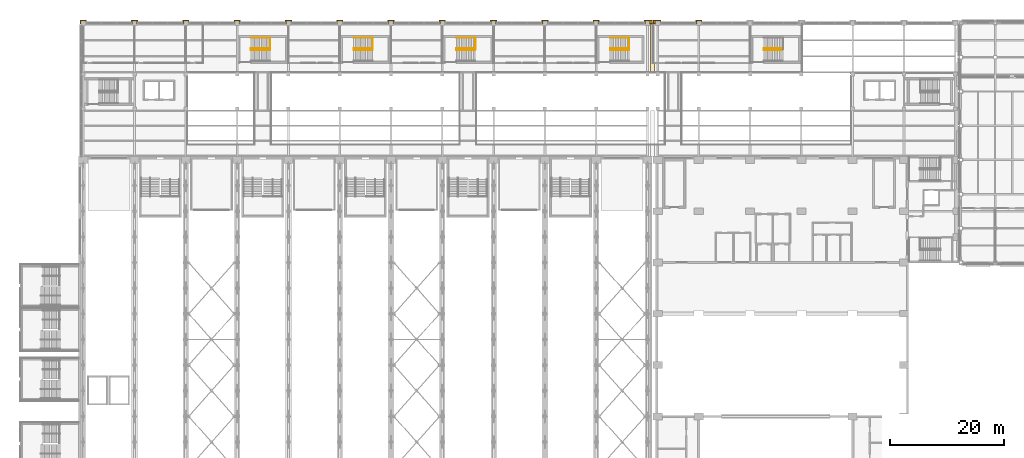
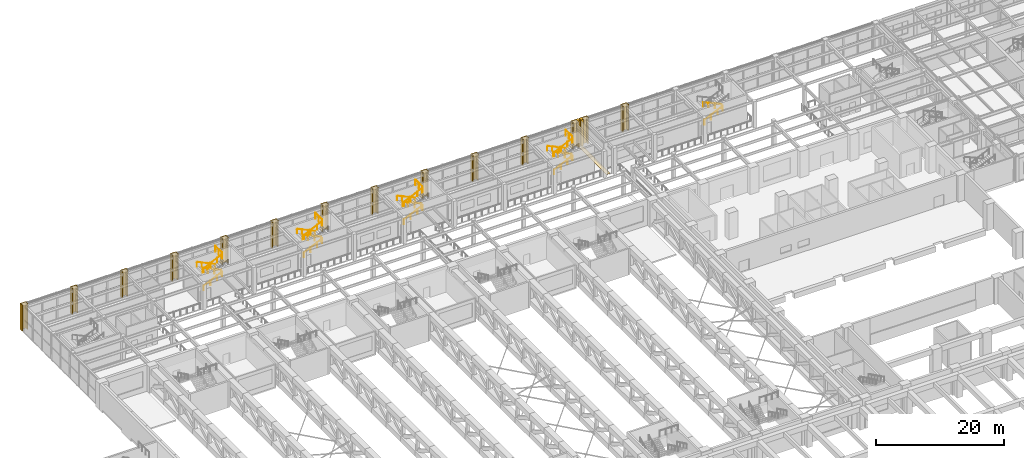
# One storey, part 74 of 76: 22 railings, 15 coverings.
"""IFC4 building model written with IfcOpenShell, lengths in metres."""

import ifcopenshell
import ifcopenshell.guid

model = None  # the IFC model being written
_history = None  # IfcOwnerHistory: only IFC2X3 demands one
_inside = {}  # id of a spatial element -> (the spatial element, [elements in it])
_under = {}  # id of a project, library or spatial element -> (it, [spatial elements below it])
_declared = {}  # id of a project -> (the project, [libraries it declares])
_typed = {}  # id of a type object -> (the type object, [elements of that type])
_made_of = {}  # id of a material, layer set ... -> (it, [elements and type objects made of it])


def new_model(schema):
    """Start an empty IFC model of exactly this schema.

    Asked for "IFC4X3", IfcOpenShell would pick the latest addendum, in which some entities
    have other attributes; the version numbers below select the first issue.
    IFC2X3 requires an IfcOwnerHistory on every rooted entity: one is made here for all.
    """
    global model, _history
    if schema == "IFC4X3":
        model = ifcopenshell.file(schema_version=(4, 3, 0, 0))
    else:
        model = ifcopenshell.file(schema=schema)
    _inside.clear()
    _under.clear()
    _declared.clear()
    _typed.clear()
    _made_of.clear()
    _history = None
    if model.schema == "IFC2X3":
        org = make("IfcOrganization", Name="unknown")
        user = make(
            "IfcPersonAndOrganization",
            ThePerson=make("IfcPerson", FamilyName="unknown"),
            TheOrganization=org,
        )
        app = make(
            "IfcApplication",
            ApplicationDeveloper=org,
            Version="unknown",
            ApplicationFullName="unknown",
            ApplicationIdentifier="unknown",
        )
        _history = make(
            "IfcOwnerHistory",
            OwningUser=user,
            OwningApplication=app,
            ChangeAction="ADDED",
            CreationDate=0,
        )
    return model


def make(cls, **values):
    """One entity of the class cls with the attributes given. An attribute that is None is left unset."""
    return model.create_entity(
        cls, **{name: value for name, value in values.items() if value is not None}
    )


def rooted(cls, **values):
    """An entity with a GlobalId (a new one), such as an element, a storey or a relation."""
    return make(cls, GlobalId=ifcopenshell.guid.new(), OwnerHistory=_history, **values)


def si_unit(unit_type, name, prefix=None):
    """IfcSIUnit, for example si_unit("LENGTHUNIT", "METRE", prefix="MILLI")."""
    return make("IfcSIUnit", UnitType=unit_type, Prefix=prefix, Name=name)


def assignment(units):
    """IfcUnitAssignment: the units of a project."""
    return None if units is None else make("IfcUnitAssignment", Units=units)


def point(xyz):
    """IfcCartesianPoint."""
    return None if xyz is None else make("IfcCartesianPoint", Coordinates=xyz)


def direction(xyz):
    """IfcDirection."""
    return None if xyz is None else make("IfcDirection", DirectionRatios=xyz)


def frame(location, z_axis=None, x_axis=None):
    """IfcAxis2Placement3D, a coordinate frame: its origin and axes. An axis left out is left unset."""
    return make(
        "IfcAxis2Placement3D",
        Location=point(location),
        Axis=direction(z_axis),
        RefDirection=direction(x_axis),
    )


def frame_2d(location, x_axis=None):
    """IfcAxis2Placement2D, a coordinate frame in the plane: its origin and x axis."""
    return make(
        "IfcAxis2Placement2D", Location=point(location), RefDirection=direction(x_axis)
    )


def origin():
    """The frame at (0, 0, 0) with its axes left unset."""
    return frame((0.0, 0.0, 0.0))


def origin_2d():
    """The frame at (0, 0) in the plane with its x axis left unset."""
    return frame_2d((0.0, 0.0))


def place(relative_to, where):
    """IfcLocalPlacement: puts the frame where relative to a parent placement (None: the world)."""
    return make(
        "IfcLocalPlacement", PlacementRelTo=relative_to, RelativePlacement=where
    )


def context(
    kind, dimensions, precision=None, world=None, true_north=None, identifier=None
):
    """IfcGeometricRepresentationContext, for example the 3D "Model" context."""
    return make(
        "IfcGeometricRepresentationContext",
        ContextIdentifier=identifier,
        ContextType=kind,
        CoordinateSpaceDimension=dimensions,
        Precision=precision,
        WorldCoordinateSystem=world,
        TrueNorth=true_north,
    )


def subcontext(parent, identifier, kind, view, scale=None):
    """IfcGeometricRepresentationSubContext, for example "Body" below "Model"."""
    return make(
        "IfcGeometricRepresentationSubContext",
        ContextIdentifier=identifier,
        ContextType=kind,
        ParentContext=parent,
        TargetScale=scale,
        TargetView=view,
    )


def project(units=None, contexts=None):
    """IfcProject with its units and contexts."""
    return rooted(
        "IfcProject",
        Name="project",
        RepresentationContexts=contexts,
        UnitsInContext=assignment(units),
    )


def spatial(cls, under=None, at=None, **own):
    """A site, building, storey or space (cls), placed at a placement, below another one or the project."""
    s = rooted(cls, ObjectPlacement=at, **own)
    if under is not None:
        _under.setdefault(under.id(), (under, []))[1].append(s)
    return s


def polyline(points):
    """IfcPolyline through the points."""
    return make("IfcPolyline", Points=[point(p) for p in points])


def profile(cls, at=None, kind="AREA", **sizes):
    """A parametric profile (cls). Its sizes go by their IFC names, for example OverallWidth=200.0."""
    return make(cls, ProfileType=kind, Position=at, **sizes)


def circle(**sizes):
    """IfcCircleProfileDef."""
    return profile("IfcCircleProfileDef", **sizes)


def outline(outer, holes=None, kind="AREA"):
    """IfcArbitraryClosedProfileDef: a profile drawn as a closed curve; with holes, ...WithVoids."""
    if holes is None:
        return make("IfcArbitraryClosedProfileDef", ProfileType=kind, OuterCurve=outer)
    return make(
        "IfcArbitraryProfileDefWithVoids",
        ProfileType=kind,
        OuterCurve=outer,
        InnerCurves=holes,
    )


def extrude(swept, where, along, depth):
    """IfcExtrudedAreaSolid: the profile swept, set in the frame where, extruded along a direction by depth."""
    return make(
        "IfcExtrudedAreaSolid",
        SweptArea=swept,
        Position=where,
        ExtrudedDirection=direction(along),
        Depth=depth,
    )


def shape(context_of_items, identifier, shape_type, items):
    """IfcShapeRepresentation: the items that make up one representation, for example the "Body"."""
    return make(
        "IfcShapeRepresentation",
        ContextOfItems=context_of_items,
        RepresentationIdentifier=identifier,
        RepresentationType=shape_type,
        Items=items,
    )


def material(Name=None, Category=None):
    """IfcMaterial."""
    return make("IfcMaterial", Name=Name, Category=Category)


def layer(
    of_material, thickness, ventilated=None, Name=None, Category=None, Priority=None
):
    """IfcMaterialLayer: one layer of a wall or slab, of a material (None: an air gap)."""
    return make(
        "IfcMaterialLayer",
        Material=of_material,
        LayerThickness=thickness,
        IsVentilated=ventilated,
        Name=Name,
        Category=Category,
        Priority=Priority,
    )


def layer_set(layers, Name=None):
    """IfcMaterialLayerSet."""
    return make("IfcMaterialLayerSet", MaterialLayers=layers, LayerSetName=Name)


def made_of(thing, what):
    """Note that an element or type object is made of a material, layer set ...; save() writes the relation."""
    if what is not None:
        _made_of.setdefault(what.id(), (what, []))[1].append(thing)
    return thing


def type_object(cls, material=None, **own):
    """A type object (cls), such as IfcWallType, which elements share."""
    return made_of(rooted(cls, **own), material)


def element(
    cls,
    number,
    at=None,
    inside=None,
    cuts=None,
    type_object=None,
    material=None,
    context=None,
    identifier="Body",
    shape_type=None,
    held_by="IfcProductDefinitionShape",
    body=None,
    shapes=None,
    **own,
):
    """One element of the class cls, such as IfcWall. Its Tag is "e" and its number.

    at: its placement. inside: the storey or other place that contains it. cuts: it is an
    opening in that element (IfcRelVoidsElement). A single representation is given by context,
    identifier, shape_type and body (its items); several are given by shapes. held_by: the class
    of the entity that holds the representations. save() writes the other relations.
    """
    e = rooted(cls, Tag="e%d" % number, ObjectPlacement=at, **own)
    if body is not None:
        shapes = [shape(context, identifier, shape_type, body)]
    if shapes is not None:
        e.Representation = make(held_by, Representations=shapes)
    if inside is not None:
        _inside.setdefault(inside.id(), (inside, []))[1].append(e)
    if cuts is not None:
        rooted(
            "IfcRelVoidsElement", RelatingBuildingElement=cuts, RelatedOpeningElement=e
        )
    if type_object is not None:
        _typed.setdefault(type_object.id(), (type_object, []))[1].append(e)
    return made_of(e, material)


def aggregate(whole, parts):
    """IfcRelAggregates: a whole, such as a stair, and the parts it consists of."""
    return rooted("IfcRelAggregates", RelatingObject=whole, RelatedObjects=parts)


def save(model, path):
    """Write the relations noted so far, then the file.

    IfcRelAggregates (storeys below a building ...), IfcRelContainedInSpatialStructure (elements
    in a storey), IfcRelDefinesByType, IfcRelAssociatesMaterial and IfcRelDeclares: one each for
    every whole, place, type object, material and project.
    """
    for whole, parts in _under.values():
        aggregate(whole, parts)
    for where, things in _inside.values():
        rooted(
            "IfcRelContainedInSpatialStructure",
            RelatedElements=things,
            RelatingStructure=where,
        )
    for kind, things in _typed.values():
        rooted("IfcRelDefinesByType", RelatedObjects=things, RelatingType=kind)
    for what, things in _made_of.values():
        rooted("IfcRelAssociatesMaterial", RelatedObjects=things, RelatingMaterial=what)
    for by, libraries in _declared.values():
        rooted("IfcRelDeclares", RelatingContext=by, RelatedDefinitions=libraries)
    model.write(path)


model = new_model("IFC4")

# Units and contexts
model_context = context("Model", 3, precision=1e-05, world=origin(), true_north=direction((0.0, 1.0)))
body_context = subcontext(model_context, "Body", "Model", "MODEL_VIEW")
ifc_project = project(units=[si_unit("LENGTHUNIT", "METRE"), si_unit("AREAUNIT", "SQUARE_METRE"), si_unit("VOLUMEUNIT", "CUBIC_METRE"), si_unit("PLANEANGLEUNIT", "RADIAN"), si_unit("MASSUNIT", "GRAM", prefix="KILO")], contexts=[model_context])

# Site, building, storey
site_placement = place(None, origin())
site = spatial("IfcSite", under=ifc_project, at=site_placement, CompositionType="ELEMENT")
building_placement = place(site_placement, origin())
building = spatial("IfcBuilding", under=site, at=building_placement, Name="Aravalli Gate Trade Fair Centre", CompositionType="ELEMENT")
storey_placement = place(building_placement, frame((0.0, 0.0, 10.0)))
storey = spatial("IfcBuildingStorey", under=building, at=storey_placement, Name="L02", CompositionType="ELEMENT", Elevation=10.0)

# Railings
ifc_material_1 = material(Name="Steel E350", Category="steel")
railing_type_1 = type_object("IfcRailingType", Name="Concourse guard 1100", PredefinedType="GUARDRAIL", material=ifc_material_1)
for number, where, name in (
    (1, (38.800048828125, 128.39990234375, 5.0), "Guard XA L02 landing edge"),
    (2, (56.800048828125, 128.39990234375, 5.0), "Guard XB L02 landing edge"),
    (3, (74.800048828125, 128.39990234375, 5.0), "Guard XC L02 landing edge"),
    (4, (101.800048828125, 128.39990234375, 5.0), "Guard XD L02 landing edge"),
):
    element("IfcRailing", number, at=place(storey_placement, frame(where)), inside=storey, type_object=railing_type_1, Name=name, PredefinedType="GUARDRAIL", context=body_context, shape_type="SweptSolid", body=[
        extrude(circle(Radius=0.02392578125, at=origin_2d()), frame((0.0, 0.0, 1.076171875), z_axis=(0.0, 1.0, 0.0), x_axis=(-1.0, 0.0, 0.0)), (0.0, 0.0, 1.0), 2.050048828125),
        extrude(circle(Radius=0.02099609375, at=origin_2d()), origin(), (0.0, 0.0, 1.0), 1.052001953125),
        extrude(circle(Radius=0.02099609375, at=origin_2d()), frame((0.0, 1.02490234375, 0.0)), (0.0, 0.0, 1.0), 1.052001953125),
        extrude(circle(Radius=0.02099609375, at=origin_2d()), frame((0.0, 2.050048828125, 0.0)), (0.0, 0.0, 1.0), 1.052001953125),
    ])
railing_type_2 = type_object("IfcRailingType", Name="Concourse stair handrail 900", PredefinedType="HANDRAIL", material=ifc_material_1)
railing_1_placement = place(storey_placement, frame((35.449951171875, 128.25, 0.138916015625)))
element("IfcRailing", 5, at=railing_1_placement, inside=storey, type_object=railing_type_2, Name="Handrail XA L02 flight 1i", PredefinedType="HANDRAIL", context=body_context, shape_type="SweptSolid", body=[
    extrude(circle(Radius=0.02392578125, at=origin_2d()), frame((0.0, 0.0, 0.8759765625), z_axis=(0.907499493834, 0.0, 0.420053173647), x_axis=(0.0, 1.0, 0.0)), (0.0, 0.0, 1.0), 1.322265625),
    extrude(circle(Radius=0.02392578125, at=origin_2d()), frame((1.199951171875, 0.0, 1.43115234375), z_axis=(0.907461694017, 0.0, 0.420134828231), x_axis=(0.0, 1.0, 0.0)), (0.0, 0.0, 1.0), 1.322509765625),
    extrude(circle(Radius=0.02392578125, at=origin_2d()), frame((2.400146484375, 0.0, 1.98681640625), z_axis=(0.907418235185, 0.0, 0.420228683522), x_axis=(0.0, 1.0, 0.0)), (0.0, 0.0, 1.0), 0.99169921875),
    extrude(circle(Radius=0.02099609375, at=origin_2d()), origin(), (0.0, 0.0, 1.0), 0.851806640625),
    extrude(circle(Radius=0.02099609375, at=origin_2d()), frame((1.199951171875, 0.0, 0.555419921875)), (0.0, 0.0, 1.0), 0.851806640625),
    extrude(circle(Radius=0.02099609375, at=origin_2d()), frame((2.400146484375, 0.0, 1.111083984375)), (0.0, 0.0, 1.0), 0.851806640625),
    extrude(circle(Radius=0.02099609375, at=origin_2d()), frame((3.300048828125, 0.0, 1.52783203125)), (0.0, 0.0, 1.0), 0.851806640625),
])
for number, where, name in (
    (6, (38.75, 130.449951171875, 1.8056640625), "Handrail XA L02 flight 2o"),
    (7, (38.75, 128.550048828125, 1.8056640625), "Handrail XA L02 flight 2i"),
):
    element("IfcRailing", number, at=place(storey_placement, frame(where)), inside=storey, type_object=railing_type_2, Name=name, PredefinedType="HANDRAIL", context=body_context, shape_type="SweptSolid", body=[
        extrude(circle(Radius=0.02392578125, at=origin_2d()), frame((0.0, 0.0, 0.8759765625), z_axis=(-0.907499493834, 0.0, 0.420053173647), x_axis=(0.0, -1.0, 0.0)), (0.0, 0.0, 1.0), 1.322265625),
        extrude(circle(Radius=0.02392578125, at=origin_2d()), frame((-1.199951171875, 0.0, 1.43115234375), z_axis=(-0.907429102623, 0.0, 0.420205216189), x_axis=(0.0, -1.0, 0.0)), (0.0, 0.0, 1.0), 1.322265625),
        extrude(circle(Radius=0.02392578125, at=origin_2d()), frame((-2.39990234375, 0.0, 1.98681640625), z_axis=(-0.907555517655, 0.0, 0.419932116387), x_axis=(0.0, -1.0, 0.0)), (0.0, 0.0, 1.0), 0.991943359375),
        extrude(circle(Radius=0.02099609375, at=origin_2d()), origin(), (0.0, 0.0, 1.0), 0.851806640625),
        extrude(circle(Radius=0.02099609375, at=origin_2d()), frame((-1.199951171875, 0.0, 0.555419921875)), (0.0, 0.0, 1.0), 0.851806640625),
        extrude(circle(Radius=0.02099609375, at=origin_2d()), frame((-2.39990234375, 0.0, 1.111083984375)), (0.0, 0.0, 1.0), 0.851806640625),
        extrude(circle(Radius=0.02099609375, at=origin_2d()), frame((-3.300048828125, 0.0, 1.527587890625)), (0.0, 0.0, 1.0), 0.851806640625),
    ])
railing_2_placement = place(storey_placement, frame((35.449951171875, 128.25, 3.47216796875)))
element("IfcRailing", 8, at=railing_2_placement, inside=storey, type_object=railing_type_2, Name="Handrail XA L02 flight 3i", PredefinedType="HANDRAIL", context=body_context, shape_type="SweptSolid", body=[
    extrude(circle(Radius=0.02392578125, at=origin_2d()), frame((0.0, 0.0, 0.8759765625), z_axis=(0.907429102623, 0.0, 0.420205216189), x_axis=(0.0, 1.0, 0.0)), (0.0, 0.0, 1.0), 1.322265625),
    extrude(circle(Radius=0.02392578125, at=origin_2d()), frame((1.199951171875, 0.0, 1.431640625), z_axis=(0.907532064172, 0.0, 0.419982800242), x_axis=(0.0, 1.0, 0.0)), (0.0, 0.0, 1.0), 1.322509765625),
    extrude(circle(Radius=0.02392578125, at=origin_2d()), frame((2.400146484375, 0.0, 1.98681640625), z_axis=(0.907418235185, 0.0, 0.420228683522), x_axis=(0.0, 1.0, 0.0)), (0.0, 0.0, 1.0), 0.99169921875),
    extrude(circle(Radius=0.02099609375, at=origin_2d()), origin(), (0.0, 0.0, 1.0), 0.851806640625),
    extrude(circle(Radius=0.02099609375, at=origin_2d()), frame((1.199951171875, 0.0, 0.5556640625)), (0.0, 0.0, 1.0), 0.851806640625),
    extrude(circle(Radius=0.02099609375, at=origin_2d()), frame((2.400146484375, 0.0, 1.111083984375)), (0.0, 0.0, 1.0), 0.851806640625),
    extrude(circle(Radius=0.02099609375, at=origin_2d()), frame((3.300048828125, 0.0, 1.52783203125)), (0.0, 0.0, 1.0), 0.851806640625),
])
railing_3_placement = place(storey_placement, frame((53.449951171875, 128.25, 0.138916015625)))
element("IfcRailing", 9, at=railing_3_placement, inside=storey, type_object=railing_type_2, Name="Handrail XB L02 flight 1i", PredefinedType="HANDRAIL", context=body_context, shape_type="SweptSolid", body=[
    extrude(circle(Radius=0.02392578125, at=origin_2d()), frame((0.0, 0.0, 0.8759765625), z_axis=(0.907499493834, 0.0, 0.420053173647), x_axis=(0.0, 1.0, 0.0)), (0.0, 0.0, 1.0), 1.322265625),
    extrude(circle(Radius=0.02392578125, at=origin_2d()), frame((1.199951171875, 0.0, 1.43115234375), z_axis=(0.907461694017, 0.0, 0.420134828231), x_axis=(0.0, 1.0, 0.0)), (0.0, 0.0, 1.0), 1.322509765625),
    extrude(circle(Radius=0.02392578125, at=origin_2d()), frame((2.400146484375, 0.0, 1.98681640625), z_axis=(0.907418235185, 0.0, 0.420228683522), x_axis=(0.0, 1.0, 0.0)), (0.0, 0.0, 1.0), 0.99169921875),
    extrude(circle(Radius=0.02099609375, at=origin_2d()), origin(), (0.0, 0.0, 1.0), 0.851806640625),
    extrude(circle(Radius=0.02099609375, at=origin_2d()), frame((1.199951171875, 0.0, 0.555419921875)), (0.0, 0.0, 1.0), 0.851806640625),
    extrude(circle(Radius=0.02099609375, at=origin_2d()), frame((2.400146484375, 0.0, 1.111083984375)), (0.0, 0.0, 1.0), 0.851806640625),
    extrude(circle(Radius=0.02099609375, at=origin_2d()), frame((3.300048828125, 0.0, 1.52783203125)), (0.0, 0.0, 1.0), 0.851806640625),
])
for number, where, name in (
    (10, (56.75, 130.449951171875, 1.8056640625), "Handrail XB L02 flight 2o"),
    (11, (56.75, 128.550048828125, 1.8056640625), "Handrail XB L02 flight 2i"),
):
    element("IfcRailing", number, at=place(storey_placement, frame(where)), inside=storey, type_object=railing_type_2, Name=name, PredefinedType="HANDRAIL", context=body_context, shape_type="SweptSolid", body=[
        extrude(circle(Radius=0.02392578125, at=origin_2d()), frame((0.0, 0.0, 0.8759765625), z_axis=(-0.907499493834, 0.0, 0.420053173647), x_axis=(0.0, -1.0, 0.0)), (0.0, 0.0, 1.0), 1.322265625),
        extrude(circle(Radius=0.02392578125, at=origin_2d()), frame((-1.199951171875, 0.0, 1.43115234375), z_axis=(-0.907429102623, 0.0, 0.420205216189), x_axis=(0.0, -1.0, 0.0)), (0.0, 0.0, 1.0), 1.322265625),
        extrude(circle(Radius=0.02392578125, at=origin_2d()), frame((-2.39990234375, 0.0, 1.98681640625), z_axis=(-0.907555517655, 0.0, 0.419932116387), x_axis=(0.0, -1.0, 0.0)), (0.0, 0.0, 1.0), 0.991943359375),
        extrude(circle(Radius=0.02099609375, at=origin_2d()), origin(), (0.0, 0.0, 1.0), 0.851806640625),
        extrude(circle(Radius=0.02099609375, at=origin_2d()), frame((-1.199951171875, 0.0, 0.555419921875)), (0.0, 0.0, 1.0), 0.851806640625),
        extrude(circle(Radius=0.02099609375, at=origin_2d()), frame((-2.39990234375, 0.0, 1.111083984375)), (0.0, 0.0, 1.0), 0.851806640625),
        extrude(circle(Radius=0.02099609375, at=origin_2d()), frame((-3.300048828125, 0.0, 1.527587890625)), (0.0, 0.0, 1.0), 0.851806640625),
    ])
railing_4_placement = place(storey_placement, frame((53.449951171875, 128.25, 3.47216796875)))
element("IfcRailing", 12, at=railing_4_placement, inside=storey, type_object=railing_type_2, Name="Handrail XB L02 flight 3i", PredefinedType="HANDRAIL", context=body_context, shape_type="SweptSolid", body=[
    extrude(circle(Radius=0.02392578125, at=origin_2d()), frame((0.0, 0.0, 0.8759765625), z_axis=(0.907429102623, 0.0, 0.420205216189), x_axis=(0.0, 1.0, 0.0)), (0.0, 0.0, 1.0), 1.322265625),
    extrude(circle(Radius=0.02392578125, at=origin_2d()), frame((1.199951171875, 0.0, 1.431640625), z_axis=(0.907532064172, 0.0, 0.419982800242), x_axis=(0.0, 1.0, 0.0)), (0.0, 0.0, 1.0), 1.322509765625),
    extrude(circle(Radius=0.02392578125, at=origin_2d()), frame((2.400146484375, 0.0, 1.98681640625), z_axis=(0.907418235185, 0.0, 0.420228683522), x_axis=(0.0, 1.0, 0.0)), (0.0, 0.0, 1.0), 0.99169921875),
    extrude(circle(Radius=0.02099609375, at=origin_2d()), origin(), (0.0, 0.0, 1.0), 0.851806640625),
    extrude(circle(Radius=0.02099609375, at=origin_2d()), frame((1.199951171875, 0.0, 0.5556640625)), (0.0, 0.0, 1.0), 0.851806640625),
    extrude(circle(Radius=0.02099609375, at=origin_2d()), frame((2.400146484375, 0.0, 1.111083984375)), (0.0, 0.0, 1.0), 0.851806640625),
    extrude(circle(Radius=0.02099609375, at=origin_2d()), frame((3.300048828125, 0.0, 1.52783203125)), (0.0, 0.0, 1.0), 0.851806640625),
])
railing_5_placement = place(storey_placement, frame((71.449951171875, 128.25, 0.138916015625)))
element("IfcRailing", 13, at=railing_5_placement, inside=storey, type_object=railing_type_2, Name="Handrail XC L02 flight 1i", PredefinedType="HANDRAIL", context=body_context, shape_type="SweptSolid", body=[
    extrude(circle(Radius=0.02392578125, at=origin_2d()), frame((0.0, 0.0, 0.8759765625), z_axis=(0.907499493834, 0.0, 0.420053173647), x_axis=(0.0, 1.0, 0.0)), (0.0, 0.0, 1.0), 1.322265625),
    extrude(circle(Radius=0.02392578125, at=origin_2d()), frame((1.199951171875, 0.0, 1.43115234375), z_axis=(0.907461694017, 0.0, 0.420134828231), x_axis=(0.0, 1.0, 0.0)), (0.0, 0.0, 1.0), 1.322509765625),
    extrude(circle(Radius=0.02392578125, at=origin_2d()), frame((2.400146484375, 0.0, 1.98681640625), z_axis=(0.907418235185, 0.0, 0.420228683522), x_axis=(0.0, 1.0, 0.0)), (0.0, 0.0, 1.0), 0.99169921875),
    extrude(circle(Radius=0.02099609375, at=origin_2d()), origin(), (0.0, 0.0, 1.0), 0.851806640625),
    extrude(circle(Radius=0.02099609375, at=origin_2d()), frame((1.199951171875, 0.0, 0.555419921875)), (0.0, 0.0, 1.0), 0.851806640625),
    extrude(circle(Radius=0.02099609375, at=origin_2d()), frame((2.400146484375, 0.0, 1.111083984375)), (0.0, 0.0, 1.0), 0.851806640625),
    extrude(circle(Radius=0.02099609375, at=origin_2d()), frame((3.300048828125, 0.0, 1.52783203125)), (0.0, 0.0, 1.0), 0.851806640625),
])
for number, where, name in (
    (14, (74.75, 130.449951171875, 1.8056640625), "Handrail XC L02 flight 2o"),
    (15, (74.75, 128.550048828125, 1.8056640625), "Handrail XC L02 flight 2i"),
):
    element("IfcRailing", number, at=place(storey_placement, frame(where)), inside=storey, type_object=railing_type_2, Name=name, PredefinedType="HANDRAIL", context=body_context, shape_type="SweptSolid", body=[
        extrude(circle(Radius=0.02392578125, at=origin_2d()), frame((0.0, 0.0, 0.8759765625), z_axis=(-0.907499493834, 0.0, 0.420053173647), x_axis=(0.0, -1.0, 0.0)), (0.0, 0.0, 1.0), 1.322265625),
        extrude(circle(Radius=0.02392578125, at=origin_2d()), frame((-1.199951171875, 0.0, 1.43115234375), z_axis=(-0.907429102623, 0.0, 0.420205216189), x_axis=(0.0, -1.0, 0.0)), (0.0, 0.0, 1.0), 1.322265625),
        extrude(circle(Radius=0.02392578125, at=origin_2d()), frame((-2.39990234375, 0.0, 1.98681640625), z_axis=(-0.907555517655, 0.0, 0.419932116387), x_axis=(0.0, -1.0, 0.0)), (0.0, 0.0, 1.0), 0.991943359375),
        extrude(circle(Radius=0.02099609375, at=origin_2d()), origin(), (0.0, 0.0, 1.0), 0.851806640625),
        extrude(circle(Radius=0.02099609375, at=origin_2d()), frame((-1.199951171875, 0.0, 0.555419921875)), (0.0, 0.0, 1.0), 0.851806640625),
        extrude(circle(Radius=0.02099609375, at=origin_2d()), frame((-2.39990234375, 0.0, 1.111083984375)), (0.0, 0.0, 1.0), 0.851806640625),
        extrude(circle(Radius=0.02099609375, at=origin_2d()), frame((-3.300048828125, 0.0, 1.527587890625)), (0.0, 0.0, 1.0), 0.851806640625),
    ])
railing_6_placement = place(storey_placement, frame((71.449951171875, 128.25, 3.47216796875)))
element("IfcRailing", 16, at=railing_6_placement, inside=storey, type_object=railing_type_2, Name="Handrail XC L02 flight 3i", PredefinedType="HANDRAIL", context=body_context, shape_type="SweptSolid", body=[
    extrude(circle(Radius=0.02392578125, at=origin_2d()), frame((0.0, 0.0, 0.8759765625), z_axis=(0.907429102623, 0.0, 0.420205216189), x_axis=(0.0, 1.0, 0.0)), (0.0, 0.0, 1.0), 1.322265625),
    extrude(circle(Radius=0.02392578125, at=origin_2d()), frame((1.199951171875, 0.0, 1.431640625), z_axis=(0.907532064172, 0.0, 0.419982800242), x_axis=(0.0, 1.0, 0.0)), (0.0, 0.0, 1.0), 1.322509765625),
    extrude(circle(Radius=0.02392578125, at=origin_2d()), frame((2.400146484375, 0.0, 1.98681640625), z_axis=(0.907418235185, 0.0, 0.420228683522), x_axis=(0.0, 1.0, 0.0)), (0.0, 0.0, 1.0), 0.99169921875),
    extrude(circle(Radius=0.02099609375, at=origin_2d()), origin(), (0.0, 0.0, 1.0), 0.851806640625),
    extrude(circle(Radius=0.02099609375, at=origin_2d()), frame((1.199951171875, 0.0, 0.5556640625)), (0.0, 0.0, 1.0), 0.851806640625),
    extrude(circle(Radius=0.02099609375, at=origin_2d()), frame((2.400146484375, 0.0, 1.111083984375)), (0.0, 0.0, 1.0), 0.851806640625),
    extrude(circle(Radius=0.02099609375, at=origin_2d()), frame((3.300048828125, 0.0, 1.52783203125)), (0.0, 0.0, 1.0), 0.851806640625),
])
railing_7_placement = place(storey_placement, frame((98.449951171875, 128.25, 0.138916015625)))
element("IfcRailing", 17, at=railing_7_placement, inside=storey, type_object=railing_type_2, Name="Handrail XD L02 flight 1i", PredefinedType="HANDRAIL", context=body_context, shape_type="SweptSolid", body=[
    extrude(circle(Radius=0.02392578125, at=origin_2d()), frame((0.0, 0.0, 0.8759765625), z_axis=(0.907499493834, 0.0, 0.420053173647), x_axis=(0.0, 1.0, 0.0)), (0.0, 0.0, 1.0), 1.322265625),
    extrude(circle(Radius=0.02392578125, at=origin_2d()), frame((1.199951171875, 0.0, 1.43115234375), z_axis=(0.907461694017, 0.0, 0.420134828231), x_axis=(0.0, 1.0, 0.0)), (0.0, 0.0, 1.0), 1.322509765625),
    extrude(circle(Radius=0.02392578125, at=origin_2d()), frame((2.400146484375, 0.0, 1.98681640625), z_axis=(0.907418235185, 0.0, 0.420228683522), x_axis=(0.0, 1.0, 0.0)), (0.0, 0.0, 1.0), 0.99169921875),
    extrude(circle(Radius=0.02099609375, at=origin_2d()), origin(), (0.0, 0.0, 1.0), 0.851806640625),
    extrude(circle(Radius=0.02099609375, at=origin_2d()), frame((1.199951171875, 0.0, 0.555419921875)), (0.0, 0.0, 1.0), 0.851806640625),
    extrude(circle(Radius=0.02099609375, at=origin_2d()), frame((2.400146484375, 0.0, 1.111083984375)), (0.0, 0.0, 1.0), 0.851806640625),
    extrude(circle(Radius=0.02099609375, at=origin_2d()), frame((3.300048828125, 0.0, 1.52783203125)), (0.0, 0.0, 1.0), 0.851806640625),
])
for number, where, name in (
    (18, (101.75, 130.449951171875, 1.8056640625), "Handrail XD L02 flight 2o"),
    (19, (101.75, 128.550048828125, 1.8056640625), "Handrail XD L02 flight 2i"),
):
    element("IfcRailing", number, at=place(storey_placement, frame(where)), inside=storey, type_object=railing_type_2, Name=name, PredefinedType="HANDRAIL", context=body_context, shape_type="SweptSolid", body=[
        extrude(circle(Radius=0.02392578125, at=origin_2d()), frame((0.0, 0.0, 0.8759765625), z_axis=(-0.907499493834, 0.0, 0.420053173647), x_axis=(0.0, -1.0, 0.0)), (0.0, 0.0, 1.0), 1.322265625),
        extrude(circle(Radius=0.02392578125, at=origin_2d()), frame((-1.199951171875, 0.0, 1.43115234375), z_axis=(-0.907429102623, 0.0, 0.420205216189), x_axis=(0.0, -1.0, 0.0)), (0.0, 0.0, 1.0), 1.322265625),
        extrude(circle(Radius=0.02392578125, at=origin_2d()), frame((-2.39990234375, 0.0, 1.98681640625), z_axis=(-0.907555517655, 0.0, 0.419932116387), x_axis=(0.0, -1.0, 0.0)), (0.0, 0.0, 1.0), 0.991943359375),
        extrude(circle(Radius=0.02099609375, at=origin_2d()), origin(), (0.0, 0.0, 1.0), 0.851806640625),
        extrude(circle(Radius=0.02099609375, at=origin_2d()), frame((-1.199951171875, 0.0, 0.555419921875)), (0.0, 0.0, 1.0), 0.851806640625),
        extrude(circle(Radius=0.02099609375, at=origin_2d()), frame((-2.39990234375, 0.0, 1.111083984375)), (0.0, 0.0, 1.0), 0.851806640625),
        extrude(circle(Radius=0.02099609375, at=origin_2d()), frame((-3.300048828125, 0.0, 1.527587890625)), (0.0, 0.0, 1.0), 0.851806640625),
    ])
railing_8_placement = place(storey_placement, frame((98.449951171875, 128.25, 3.47216796875)))
element("IfcRailing", 20, at=railing_8_placement, inside=storey, type_object=railing_type_2, Name="Handrail XD L02 flight 3i", PredefinedType="HANDRAIL", context=body_context, shape_type="SweptSolid", body=[
    extrude(circle(Radius=0.02392578125, at=origin_2d()), frame((0.0, 0.0, 0.8759765625), z_axis=(0.907429102623, 0.0, 0.420205216189), x_axis=(0.0, 1.0, 0.0)), (0.0, 0.0, 1.0), 1.322265625),
    extrude(circle(Radius=0.02392578125, at=origin_2d()), frame((1.199951171875, 0.0, 1.431640625), z_axis=(0.907532064172, 0.0, 0.419982800242), x_axis=(0.0, 1.0, 0.0)), (0.0, 0.0, 1.0), 1.322509765625),
    extrude(circle(Radius=0.02392578125, at=origin_2d()), frame((2.400146484375, 0.0, 1.98681640625), z_axis=(0.907418235185, 0.0, 0.420228683522), x_axis=(0.0, 1.0, 0.0)), (0.0, 0.0, 1.0), 0.99169921875),
    extrude(circle(Radius=0.02099609375, at=origin_2d()), origin(), (0.0, 0.0, 1.0), 0.851806640625),
    extrude(circle(Radius=0.02099609375, at=origin_2d()), frame((1.199951171875, 0.0, 0.5556640625)), (0.0, 0.0, 1.0), 0.851806640625),
    extrude(circle(Radius=0.02099609375, at=origin_2d()), frame((2.400146484375, 0.0, 1.111083984375)), (0.0, 0.0, 1.0), 0.851806640625),
    extrude(circle(Radius=0.02099609375, at=origin_2d()), frame((3.300048828125, 0.0, 1.52783203125)), (0.0, 0.0, 1.0), 0.851806640625),
])
railing_9_placement = place(storey_placement, frame((125.449951171875, 128.25, 0.138916015625)))
element("IfcRailing", 21, at=railing_9_placement, inside=storey, type_object=railing_type_2, Name="Handrail XE L02 flight 1i", PredefinedType="HANDRAIL", context=body_context, shape_type="SweptSolid", body=[
    extrude(circle(Radius=0.02392578125, at=origin_2d()), frame((0.0, 0.0, 0.8759765625), z_axis=(0.907499493834, 0.0, 0.420053173647), x_axis=(0.0, 1.0, 0.0)), (0.0, 0.0, 1.0), 1.322265625),
    extrude(circle(Radius=0.02392578125, at=origin_2d()), frame((1.199951171875, 0.0, 1.43115234375), z_axis=(0.907461694017, 0.0, 0.420134828231), x_axis=(0.0, 1.0, 0.0)), (0.0, 0.0, 1.0), 1.322509765625),
    extrude(circle(Radius=0.02392578125, at=origin_2d()), frame((2.400146484375, 0.0, 1.98681640625), z_axis=(0.907418235185, 0.0, 0.420228683522), x_axis=(0.0, 1.0, 0.0)), (0.0, 0.0, 1.0), 0.99169921875),
    extrude(circle(Radius=0.02099609375, at=origin_2d()), origin(), (0.0, 0.0, 1.0), 0.851806640625),
    extrude(circle(Radius=0.02099609375, at=origin_2d()), frame((1.199951171875, 0.0, 0.555419921875)), (0.0, 0.0, 1.0), 0.851806640625),
    extrude(circle(Radius=0.02099609375, at=origin_2d()), frame((2.400146484375, 0.0, 1.111083984375)), (0.0, 0.0, 1.0), 0.851806640625),
    extrude(circle(Radius=0.02099609375, at=origin_2d()), frame((3.300048828125, 0.0, 1.52783203125)), (0.0, 0.0, 1.0), 0.851806640625),
])
railing_10_placement = place(storey_placement, frame((128.75, 128.550048828125, 1.8056640625)))
element("IfcRailing", 22, at=railing_10_placement, inside=storey, type_object=railing_type_2, Name="Handrail XE L02 flight 2i", PredefinedType="HANDRAIL", context=body_context, shape_type="SweptSolid", body=[
    extrude(circle(Radius=0.02392578125, at=origin_2d()), frame((0.0, 0.0, 0.8759765625), z_axis=(-0.907499493834, 0.0, 0.420053173647), x_axis=(0.0, -1.0, 0.0)), (0.0, 0.0, 1.0), 1.322265625),
    extrude(circle(Radius=0.02392578125, at=origin_2d()), frame((-1.199951171875, 0.0, 1.43115234375), z_axis=(-0.907429102623, 0.0, 0.420205216189), x_axis=(0.0, -1.0, 0.0)), (0.0, 0.0, 1.0), 1.322265625),
    extrude(circle(Radius=0.02392578125, at=origin_2d()), frame((-2.39990234375, 0.0, 1.98681640625), z_axis=(-0.907555517655, 0.0, 0.419932116387), x_axis=(0.0, -1.0, 0.0)), (0.0, 0.0, 1.0), 0.991943359375),
    extrude(circle(Radius=0.02099609375, at=origin_2d()), origin(), (0.0, 0.0, 1.0), 0.851806640625),
    extrude(circle(Radius=0.02099609375, at=origin_2d()), frame((-1.199951171875, 0.0, 0.555419921875)), (0.0, 0.0, 1.0), 0.851806640625),
    extrude(circle(Radius=0.02099609375, at=origin_2d()), frame((-2.39990234375, 0.0, 1.111083984375)), (0.0, 0.0, 1.0), 0.851806640625),
    extrude(circle(Radius=0.02099609375, at=origin_2d()), frame((-3.300048828125, 0.0, 1.527587890625)), (0.0, 0.0, 1.0), 0.851806640625),
])

# Coverings
ifc_material_2 = material(Name="Stainless steel", Category="steel")
ifc_layer_1 = layer(ifc_material_2, 0.010009765625)
ifc_layer_set_1 = layer_set([ifc_layer_1], Name="Stainless steel")
covering_type_1 = type_object("IfcCoveringType", Name="Joint cover plate, stainless steel 10", PredefinedType="FLOORING", material=ifc_layer_set_1)
covering_1_placement = place(storey_placement, origin())
element("IfcCovering", 23, at=covering_1_placement, inside=storey, type_object=covering_type_1, Name="Joint cover plate J2 L02 2", PredefinedType="FLOORING", context=body_context, shape_type="SweptSolid", body=[
    extrude(outline(polyline([(105.550048828125, 132.919921875), (105.550048828125, 124.300048828125), (106.25, 124.300048828125), (106.25, 132.919921875), (105.550048828125, 132.919921875)])), origin(), (0.0, 0.0, 1.0), 0.010009765625),
])
ifc_material_3 = material(Name="Glazed terracotta", Category="masonry")
ifc_layer_2 = layer(ifc_material_3, 0.14990234375)
ifc_layer_set_2 = layer_set([ifc_layer_2], Name="Glazed terracotta")
covering_type_2 = type_object("IfcCoveringType", Name="Terracotta pier casing 150", PredefinedType="CLADDING", material=ifc_layer_set_2)
covering_2_placement = place(storey_placement, origin())
element("IfcCovering", 24, at=covering_2_placement, inside=storey, type_object=covering_type_2, Name="Pier casing K01 L02", PredefinedType="CLADDING", context=body_context, shape_type="SweptSolid", body=[
    extrude(outline(polyline([(5.449951171875, 132.919921875), (5.60009765625, 132.919921875), (5.60009765625, 133.39990234375), (6.39990234375, 133.39990234375), (6.39990234375, 132.919921875), (6.550048828125, 132.919921875), (6.550048828125, 133.550048828125), (5.449951171875, 133.550048828125), (5.449951171875, 132.919921875)])), origin(), (0.0, 0.0, 1.0), 5.0),
])
covering_3_placement = place(storey_placement, origin())
element("IfcCovering", 25, at=covering_3_placement, inside=storey, type_object=covering_type_2, Name="Pier casing K02 L02", PredefinedType="CLADDING", context=body_context, shape_type="SweptSolid", body=[
    extrude(outline(polyline([(14.449951171875, 132.919921875), (14.60009765625, 132.919921875), (14.60009765625, 133.39990234375), (15.39990234375, 133.39990234375), (15.39990234375, 132.919921875), (15.550048828125, 132.919921875), (15.550048828125, 133.550048828125), (14.449951171875, 133.550048828125), (14.449951171875, 132.919921875)])), origin(), (0.0, 0.0, 1.0), 5.0),
])
covering_4_placement = place(storey_placement, origin())
element("IfcCovering", 26, at=covering_4_placement, inside=storey, type_object=covering_type_2, Name="Pier casing K03 L02", PredefinedType="CLADDING", context=body_context, shape_type="SweptSolid", body=[
    extrude(outline(polyline([(23.449951171875, 132.919921875), (23.60009765625, 132.919921875), (23.60009765625, 133.39990234375), (24.39990234375, 133.39990234375), (24.39990234375, 132.919921875), (24.550048828125, 132.919921875), (24.550048828125, 133.550048828125), (23.449951171875, 133.550048828125), (23.449951171875, 132.919921875)])), origin(), (0.0, 0.0, 1.0), 5.0),
])
covering_5_placement = place(storey_placement, origin())
element("IfcCovering", 27, at=covering_5_placement, inside=storey, type_object=covering_type_2, Name="Pier casing K04 L02", PredefinedType="CLADDING", context=body_context, shape_type="SweptSolid", body=[
    extrude(outline(polyline([(32.449951171875, 132.919921875), (32.60009765625, 132.919921875), (32.60009765625, 133.39990234375), (33.39990234375, 133.39990234375), (33.39990234375, 132.919921875), (33.550048828125, 132.919921875), (33.550048828125, 133.550048828125), (32.449951171875, 133.550048828125), (32.449951171875, 132.919921875)])), origin(), (0.0, 0.0, 1.0), 5.0),
])
covering_6_placement = place(storey_placement, origin())
element("IfcCovering", 28, at=covering_6_placement, inside=storey, type_object=covering_type_2, Name="Pier casing K05 L02", PredefinedType="CLADDING", context=body_context, shape_type="SweptSolid", body=[
    extrude(outline(polyline([(41.449951171875, 132.919921875), (41.60009765625, 132.919921875), (41.60009765625, 133.39990234375), (42.39990234375, 133.39990234375), (42.39990234375, 132.919921875), (42.550048828125, 132.919921875), (42.550048828125, 133.550048828125), (41.449951171875, 133.550048828125), (41.449951171875, 132.919921875)])), origin(), (0.0, 0.0, 1.0), 5.0),
])
covering_7_placement = place(storey_placement, origin())
element("IfcCovering", 29, at=covering_7_placement, inside=storey, type_object=covering_type_2, Name="Pier casing K06 L02", PredefinedType="CLADDING", context=body_context, shape_type="SweptSolid", body=[
    extrude(outline(polyline([(50.449951171875, 132.919921875), (50.60009765625, 132.919921875), (50.60009765625, 133.39990234375), (51.39990234375, 133.39990234375), (51.39990234375, 132.919921875), (51.550048828125, 132.919921875), (51.550048828125, 133.550048828125), (50.449951171875, 133.550048828125), (50.449951171875, 132.919921875)])), origin(), (0.0, 0.0, 1.0), 5.0),
])
covering_8_placement = place(storey_placement, origin())
element("IfcCovering", 30, at=covering_8_placement, inside=storey, type_object=covering_type_2, Name="Pier casing K07 L02", PredefinedType="CLADDING", context=body_context, shape_type="SweptSolid", body=[
    extrude(outline(polyline([(59.449951171875, 132.919921875), (59.60009765625, 132.919921875), (59.60009765625, 133.39990234375), (60.39990234375, 133.39990234375), (60.39990234375, 132.919921875), (60.550048828125, 132.919921875), (60.550048828125, 133.550048828125), (59.449951171875, 133.550048828125), (59.449951171875, 132.919921875)])), origin(), (0.0, 0.0, 1.0), 5.0),
])
covering_9_placement = place(storey_placement, origin())
element("IfcCovering", 31, at=covering_9_placement, inside=storey, type_object=covering_type_2, Name="Pier casing K08 L02", PredefinedType="CLADDING", context=body_context, shape_type="SweptSolid", body=[
    extrude(outline(polyline([(68.449951171875, 132.919921875), (68.60009765625, 132.919921875), (68.60009765625, 133.39990234375), (69.39990234375, 133.39990234375), (69.39990234375, 132.919921875), (69.550048828125, 132.919921875), (69.550048828125, 133.550048828125), (68.449951171875, 133.550048828125), (68.449951171875, 132.919921875)])), origin(), (0.0, 0.0, 1.0), 5.0),
])
covering_10_placement = place(storey_placement, origin())
element("IfcCovering", 32, at=covering_10_placement, inside=storey, type_object=covering_type_2, Name="Pier casing K09 L02", PredefinedType="CLADDING", context=body_context, shape_type="SweptSolid", body=[
    extrude(outline(polyline([(77.449951171875, 132.919921875), (77.60009765625, 132.919921875), (77.60009765625, 133.39990234375), (78.39990234375, 133.39990234375), (78.39990234375, 132.919921875), (78.550048828125, 132.919921875), (78.550048828125, 133.550048828125), (77.449951171875, 133.550048828125), (77.449951171875, 132.919921875)])), origin(), (0.0, 0.0, 1.0), 5.0),
])
covering_11_placement = place(storey_placement, origin())
element("IfcCovering", 33, at=covering_11_placement, inside=storey, type_object=covering_type_2, Name="Pier casing K10 L02", PredefinedType="CLADDING", context=body_context, shape_type="SweptSolid", body=[
    extrude(outline(polyline([(86.449951171875, 132.919921875), (86.60009765625, 132.919921875), (86.60009765625, 133.39990234375), (87.39990234375, 133.39990234375), (87.39990234375, 132.919921875), (87.550048828125, 132.919921875), (87.550048828125, 133.550048828125), (86.449951171875, 133.550048828125), (86.449951171875, 132.919921875)])), origin(), (0.0, 0.0, 1.0), 5.0),
])
covering_12_placement = place(storey_placement, origin())
element("IfcCovering", 34, at=covering_12_placement, inside=storey, type_object=covering_type_2, Name="Pier casing K11 L02", PredefinedType="CLADDING", context=body_context, shape_type="SweptSolid", body=[
    extrude(outline(polyline([(95.449951171875, 132.919921875), (95.60009765625, 132.919921875), (95.60009765625, 133.39990234375), (96.39990234375, 133.39990234375), (96.39990234375, 132.919921875), (96.550048828125, 132.919921875), (96.550048828125, 133.550048828125), (95.449951171875, 133.550048828125), (95.449951171875, 132.919921875)])), origin(), (0.0, 0.0, 1.0), 5.0),
])
covering_13_placement = place(storey_placement, origin())
element("IfcCovering", 35, at=covering_13_placement, inside=storey, type_object=covering_type_2, Name="Pier casing K12 L02", PredefinedType="CLADDING", context=body_context, shape_type="SweptSolid", body=[
    extrude(outline(polyline([(104.449951171875, 132.919921875), (104.60009765625, 132.919921875), (104.60009765625, 133.39990234375), (105.39990234375, 133.39990234375), (105.39990234375, 132.919921875), (105.800048828125, 132.919921875), (105.800048828125, 133.550048828125), (104.449951171875, 133.550048828125), (104.449951171875, 132.919921875)])), origin(), (0.0, 0.0, 1.0), 5.0),
])
covering_14_placement = place(storey_placement, origin())
element("IfcCovering", 36, at=covering_14_placement, inside=storey, type_object=covering_type_2, Name="Pier casing K12A L02", PredefinedType="CLADDING", context=body_context, shape_type="SweptSolid", body=[
    extrude(outline(polyline([(106.0, 132.919921875), (106.39990234375, 132.919921875), (106.39990234375, 133.39990234375), (107.199951171875, 133.39990234375), (107.199951171875, 132.919921875), (107.35009765625, 132.919921875), (107.35009765625, 133.550048828125), (106.0, 133.550048828125), (106.0, 132.919921875)])), origin(), (0.0, 0.0, 1.0), 5.0),
])
covering_15_placement = place(storey_placement, origin())
element("IfcCovering", 37, at=covering_15_placement, inside=storey, type_object=covering_type_2, Name="Pier casing K13 L02", PredefinedType="CLADDING", context=body_context, shape_type="SweptSolid", body=[
    extrude(outline(polyline([(113.449951171875, 132.919921875), (113.60009765625, 132.919921875), (113.60009765625, 133.39990234375), (114.39990234375, 133.39990234375), (114.39990234375, 132.919921875), (114.550048828125, 132.919921875), (114.550048828125, 133.550048828125), (113.449951171875, 133.550048828125), (113.449951171875, 132.919921875)])), origin(), (0.0, 0.0, 1.0), 5.0),
])

save(model, "model.ifc")
